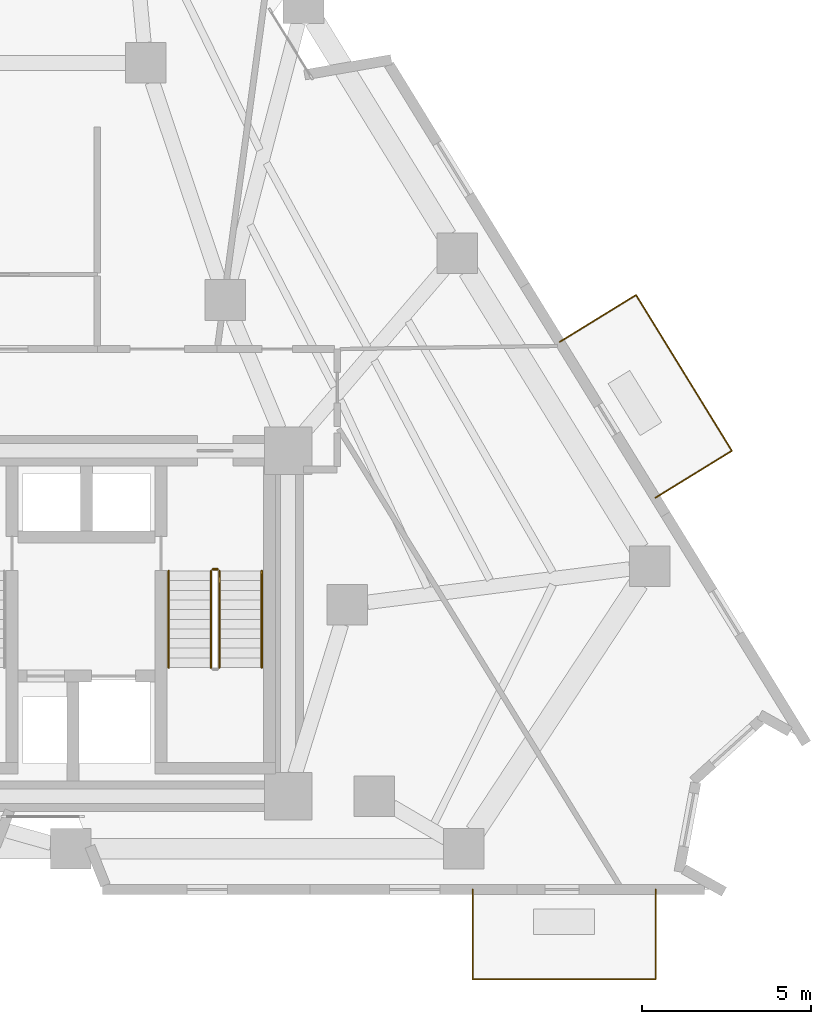
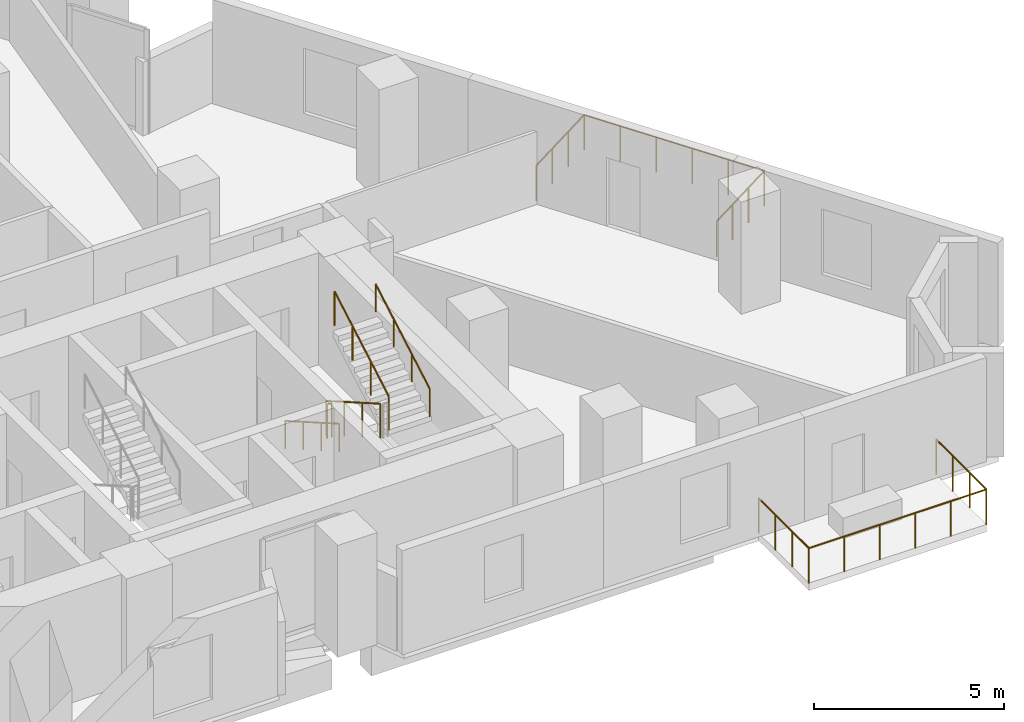
# One storey, part 11 of 12: 7 railings.
"""IFC4 building model written with IfcOpenShell, lengths in metres."""

from ifc_helpers import new_model, si_unit, direction, frame, origin, origin_2d, place, context, subcontext, project, spatial, circle, extrude, material, type_object, element, save


model = new_model("IFC4")

# Units and contexts
model_context = context("Model", 3, precision=1e-05, world=origin(), true_north=direction((0.0, 1.0)))
body_context = subcontext(model_context, "Body", "Model", "MODEL_VIEW")
ifc_project = project(units=[si_unit("LENGTHUNIT", "METRE"), si_unit("AREAUNIT", "SQUARE_METRE"), si_unit("VOLUMEUNIT", "CUBIC_METRE"), si_unit("PLANEANGLEUNIT", "RADIAN"), si_unit("MASSUNIT", "GRAM", prefix="KILO")], contexts=[model_context])

# Site, building, storey
site_placement = place(None, origin())
site = spatial("IfcSite", under=ifc_project, at=site_placement, CompositionType="ELEMENT")
building_placement = place(site_placement, origin())
building = spatial("IfcBuilding", under=site, at=building_placement, Name="Almagre Mirador Tower", CompositionType="ELEMENT")
storey_placement = place(building_placement, frame((0.0, 0.0, 93.0)))
storey = spatial("IfcBuildingStorey", under=building, at=storey_placement, Name="L23", CompositionType="ELEMENT", Elevation=93.0)

# Railings
ifc_material_1 = material(Name="Black anodized aluminium", Category="aluminium")
railing_type_1 = type_object("IfcRailingType", Name="RLG-BAL-1150", PredefinedType="BALUSTRADE", material=ifc_material_1)
railing_1_placement = place(storey_placement, frame((52.5, 1.800048828125, 0.0)))
element("IfcRailing", 1, at=railing_1_placement, inside=storey, type_object=railing_type_1, Name="L23 south balcony balustrade 1", PredefinedType="BALUSTRADE", context=body_context, shape_type="SweptSolid", body=[
    extrude(circle(Radius=0.02392578125, at=origin_2d()), frame((0.0, 0.0, 1.1259765625), z_axis=(0.0, -1.0, 0.0), x_axis=(1.0, 0.0, 0.0)), (0.0, 0.0, 1.0), 2.650146484375),
    extrude(circle(Radius=0.02392578125, at=origin_2d()), frame((0.0, -2.650146484375, 1.1259765625), z_axis=(1.0, 0.0, 0.0), x_axis=(0.0, 1.0, 0.0)), (0.0, 0.0, 1.0), 5.39990234375),
    extrude(circle(Radius=0.02392578125, at=origin_2d()), frame((5.39990234375, -2.650146484375, 1.1259765625), z_axis=(0.0, 1.0, 0.0), x_axis=(-1.0, 0.0, 0.0)), (0.0, 0.0, 1.0), 2.650146484375),
    extrude(circle(Radius=0.02099609375, at=origin_2d()), origin(), (0.0, 0.0, 1.0), 1.101806640625),
    extrude(circle(Radius=0.02099609375, at=origin_2d()), frame((0.0, -0.88330078125, 0.0)), (0.0, 0.0, 1.0), 1.101806640625),
    extrude(circle(Radius=0.02099609375, at=origin_2d()), frame((0.0, -1.766845703125, 0.0)), (0.0, 0.0, 1.0), 1.101806640625),
    extrude(circle(Radius=0.02099609375, at=origin_2d()), frame((0.0, -2.650146484375, 0.0)), (0.0, 0.0, 1.0), 1.101806640625),
    extrude(circle(Radius=0.02099609375, at=origin_2d()), frame((1.080078125, -2.650146484375, 0.0)), (0.0, 0.0, 1.0), 1.101806640625),
    extrude(circle(Radius=0.02099609375, at=origin_2d()), frame((2.159912109375, -2.650146484375, 0.0)), (0.0, 0.0, 1.0), 1.101806640625),
    extrude(circle(Radius=0.02099609375, at=origin_2d()), frame((3.239990234375, -2.650146484375, 0.0)), (0.0, 0.0, 1.0), 1.101806640625),
    extrude(circle(Radius=0.02099609375, at=origin_2d()), frame((4.31982421875, -2.650146484375, 0.0)), (0.0, 0.0, 1.0), 1.101806640625),
    extrude(circle(Radius=0.02099609375, at=origin_2d()), frame((5.39990234375, -2.650146484375, 0.0)), (0.0, 0.0, 1.0), 1.101806640625),
    extrude(circle(Radius=0.02099609375, at=origin_2d()), frame((5.39990234375, -1.766845703125, 0.0)), (0.0, 0.0, 1.0), 1.101806640625),
    extrude(circle(Radius=0.02099609375, at=origin_2d()), frame((5.39990234375, -0.88330078125, 0.0)), (0.0, 0.0, 1.0), 1.101806640625),
    extrude(circle(Radius=0.02099609375, at=origin_2d()), frame((5.39990234375, 0.0, 0.0)), (0.0, 0.0, 1.0), 1.101806640625),
])
railing_2_placement = place(storey_placement, frame((57.89404296875, 13.360107421875, 0.0)))
element("IfcRailing", 2, at=railing_2_placement, inside=storey, type_object=railing_type_1, Name="L23 east balcony balustrade 2", PredefinedType="BALUSTRADE", context=body_context, shape_type="SweptSolid", body=[
    extrude(circle(Radius=0.02392578125, at=origin_2d()), frame((0.0, 0.0, 1.1259765625), z_axis=(0.851933345943, 0.523650240208, 0.0), x_axis=(-0.523650240208, 0.851933345943, 0.0)), (0.0, 0.0, 1.0), 2.650390625),
    extrude(circle(Radius=0.02392578125, at=origin_2d()), frame((2.258056640625, 1.387939453125, 1.1259765625), z_axis=(-0.523754303145, 0.851869373752, 0.0), x_axis=(-0.851869373752, -0.523754303145, 0.0)), (0.0, 0.0, 1.0), 5.399658203125),
    extrude(circle(Radius=0.02392578125, at=origin_2d()), frame((-0.570068359375, 5.98779296875, 1.1259765625), z_axis=(-0.851933345943, -0.523650240208, 0.0), x_axis=(0.523650240208, -0.851933345943, 0.0)), (0.0, 0.0, 1.0), 2.650390625),
    extrude(circle(Radius=0.02099609375, at=origin_2d()), origin(), (0.0, 0.0, 1.0), 1.101806640625),
    extrude(circle(Radius=0.02099609375, at=origin_2d()), frame((0.752685546875, 0.462646484375, 0.0)), (0.0, 0.0, 1.0), 1.101806640625),
    extrude(circle(Radius=0.02099609375, at=origin_2d()), frame((1.50537109375, 0.92529296875, 0.0)), (0.0, 0.0, 1.0), 1.101806640625),
    extrude(circle(Radius=0.02099609375, at=origin_2d()), frame((2.258056640625, 1.387939453125, 0.0)), (0.0, 0.0, 1.0), 1.101806640625),
    extrude(circle(Radius=0.02099609375, at=origin_2d()), frame((1.6923828125, 2.307861328125, 0.0)), (0.0, 0.0, 1.0), 1.101806640625),
    extrude(circle(Radius=0.02099609375, at=origin_2d()), frame((1.126708984375, 3.227783203125, 0.0)), (0.0, 0.0, 1.0), 1.101806640625),
    extrude(circle(Radius=0.02099609375, at=origin_2d()), frame((0.561279296875, 4.14794921875, 0.0)), (0.0, 0.0, 1.0), 1.101806640625),
    extrude(circle(Radius=0.02099609375, at=origin_2d()), frame((-0.00439453125, 5.06787109375, 0.0)), (0.0, 0.0, 1.0), 1.101806640625),
    extrude(circle(Radius=0.02099609375, at=origin_2d()), frame((-0.570068359375, 5.98779296875, 0.0)), (0.0, 0.0, 1.0), 1.101806640625),
    extrude(circle(Radius=0.02099609375, at=origin_2d()), frame((-1.32275390625, 5.525146484375, 0.0)), (0.0, 0.0, 1.0), 1.101806640625),
    extrude(circle(Radius=0.02099609375, at=origin_2d()), frame((-2.075439453125, 5.0625, 0.0)), (0.0, 0.0, 1.0), 1.101806640625),
    extrude(circle(Radius=0.02099609375, at=origin_2d()), frame((-2.828125, 4.599853515625, 0.0)), (0.0, 0.0, 1.0), 1.101806640625),
])
ifc_material_2 = material(Name="Painted galvanized steel", Category="steel")
railing_type_2 = type_object("IfcRailingType", Name="RLG-GRD-1100", PredefinedType="GUARDRAIL", material=ifc_material_2)
railing_3_placement = place(storey_placement, frame((44.77490234375, 11.199951171875, 0.16357421875)))
element("IfcRailing", 3, at=railing_3_placement, inside=storey, type_object=railing_type_2, Name="L23 ST-3 stair guard 1", PredefinedType="GUARDRAIL", context=body_context, shape_type="SweptSolid", body=[
    extrude(circle(Radius=0.02392578125, at=origin_2d()), frame((0.0, 0.0, 1.09619140625), z_axis=(0.0, -0.867194282975, 0.497969954491), x_axis=(1.0, 0.0, 0.0)), (0.0, 0.0, 1.0), 3.286376953125),
    extrude(circle(Radius=0.02099609375, at=origin_2d()), origin(), (0.0, 0.0, 1.0), 1.072021484375),
    extrude(circle(Radius=0.02099609375, at=origin_2d()), frame((0.0, -0.949951171875, 0.54541015625)), (0.0, 0.0, 1.0), 1.072021484375),
    extrude(circle(Radius=0.02099609375, at=origin_2d()), frame((0.0, -1.89990234375, 1.091064453125)), (0.0, 0.0, 1.0), 1.072021484375),
    extrude(circle(Radius=0.02099609375, at=origin_2d()), frame((0.0, -2.849853515625, 1.636474609375)), (0.0, 0.0, 1.0), 1.072021484375),
])
railing_4_placement = place(storey_placement, frame((45.02490234375, 8.35009765625, 1.963623046875)))
element("IfcRailing", 4, at=railing_4_placement, inside=storey, type_object=railing_type_2, Name="L23 ST-3 stair guard 3", PredefinedType="GUARDRAIL", context=body_context, shape_type="SweptSolid", body=[
    extrude(circle(Radius=0.02392578125, at=origin_2d()), frame((0.0, 0.0, 1.09619140625), z_axis=(0.0, 0.867194282975, 0.497969954491), x_axis=(-1.0, 0.0, 0.0)), (0.0, 0.0, 1.0), 3.286376953125),
    extrude(circle(Radius=0.02099609375, at=origin_2d()), origin(), (0.0, 0.0, 1.0), 1.072021484375),
    extrude(circle(Radius=0.02099609375, at=origin_2d()), frame((0.0, 0.949951171875, 0.54541015625)), (0.0, 0.0, 1.0), 1.072021484375),
    extrude(circle(Radius=0.02099609375, at=origin_2d()), frame((0.0, 1.89990234375, 1.091064453125)), (0.0, 0.0, 1.0), 1.072021484375),
    extrude(circle(Radius=0.02099609375, at=origin_2d()), frame((0.0, 2.849853515625, 1.636474609375)), (0.0, 0.0, 1.0), 1.072021484375),
])
railing_5_placement = place(storey_placement, frame((44.824951171875, 11.25, 0.0)))
element("IfcRailing", 5, at=railing_5_placement, inside=storey, type_object=railing_type_2, Name="L23 ST-3 stair guard 4", PredefinedType="GUARDRAIL", context=body_context, shape_type="SweptSolid", body=[
    extrude(circle(Radius=0.02392578125, at=origin_2d()), frame((0.0, 0.0, 1.09619140625), z_axis=(1.0, 0.0, 0.0), x_axis=(0.0, 1.0, 0.0)), (0.0, 0.0, 1.0), 0.150146484375),
    extrude(circle(Radius=0.02099609375, at=origin_2d()), origin(), (0.0, 0.0, 1.0), 1.072021484375),
    extrude(circle(Radius=0.02099609375, at=origin_2d()), frame((0.150146484375, 0.0, 0.0)), (0.0, 0.0, 1.0), 1.072021484375),
])
ifc_material_3 = material(Name="Brushed stainless steel", Category="steel")
railing_type_3 = type_object("IfcRailingType", Name="RLG-HND-915", PredefinedType="HANDRAIL", material=ifc_material_3)
railing_6_placement = place(storey_placement, frame((43.52490234375, 11.199951171875, 0.16357421875)))
element("IfcRailing", 6, at=railing_6_placement, inside=storey, type_object=railing_type_3, Name="L23 ST-3 stair handrail 1", PredefinedType="HANDRAIL", context=body_context, shape_type="SweptSolid", body=[
    extrude(circle(Radius=0.02392578125, at=origin_2d()), frame((0.0, 0.0, 0.89111328125), z_axis=(0.0, -0.867194282975, 0.497969954491), x_axis=(1.0, 0.0, 0.0)), (0.0, 0.0, 1.0), 3.286376953125),
    extrude(circle(Radius=0.02099609375, at=origin_2d()), origin(), (0.0, 0.0, 1.0), 0.866943359375),
    extrude(circle(Radius=0.02099609375, at=origin_2d()), frame((0.0, -0.949951171875, 0.54541015625)), (0.0, 0.0, 1.0), 0.866943359375),
    extrude(circle(Radius=0.02099609375, at=origin_2d()), frame((0.0, -1.89990234375, 1.091064453125)), (0.0, 0.0, 1.0), 0.866943359375),
    extrude(circle(Radius=0.02099609375, at=origin_2d()), frame((0.0, -2.849853515625, 1.636474609375)), (0.0, 0.0, 1.0), 0.866943359375),
])
railing_7_placement = place(storey_placement, frame((46.27490234375, 8.35009765625, 1.963623046875)))
element("IfcRailing", 7, at=railing_7_placement, inside=storey, type_object=railing_type_3, Name="L23 ST-3 stair handrail 2", PredefinedType="HANDRAIL", context=body_context, shape_type="SweptSolid", body=[
    extrude(circle(Radius=0.02392578125, at=origin_2d()), frame((0.0, 0.0, 0.89111328125), z_axis=(0.0, 0.867194282975, 0.497969954491), x_axis=(-1.0, 0.0, 0.0)), (0.0, 0.0, 1.0), 3.286376953125),
    extrude(circle(Radius=0.02099609375, at=origin_2d()), origin(), (0.0, 0.0, 1.0), 0.866943359375),
    extrude(circle(Radius=0.02099609375, at=origin_2d()), frame((0.0, 0.949951171875, 0.54541015625)), (0.0, 0.0, 1.0), 0.866943359375),
    extrude(circle(Radius=0.02099609375, at=origin_2d()), frame((0.0, 1.89990234375, 1.091064453125)), (0.0, 0.0, 1.0), 0.866943359375),
    extrude(circle(Radius=0.02099609375, at=origin_2d()), frame((0.0, 2.849853515625, 1.636474609375)), (0.0, 0.0, 1.0), 0.866943359375),
])

save(model, "model.ifc")
